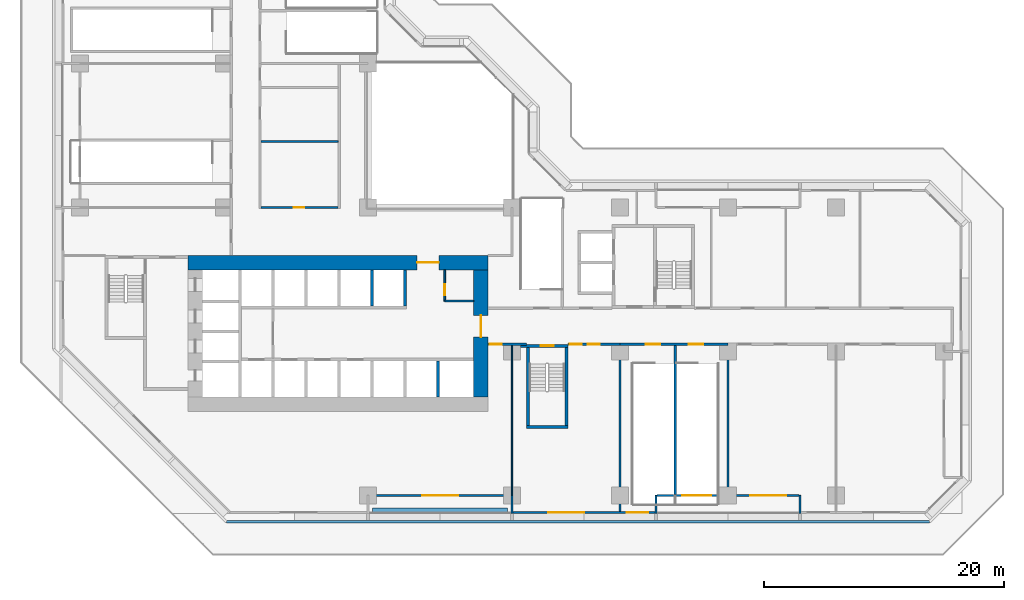
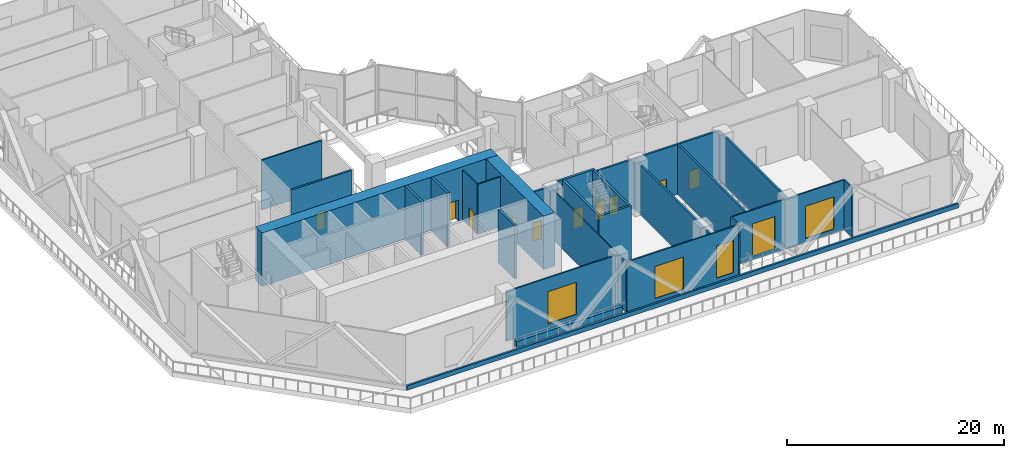
# One storey, part 5 of 16: 28 walls, 10 doors, 5 windows, 15 openings.
"""IFC4 building model written with IfcOpenShell, lengths in metres."""

import ifcopenshell
import ifcopenshell.guid

model = None  # the IFC model being written
_history = None  # IfcOwnerHistory: only IFC2X3 demands one
_inside = {}  # id of a spatial element -> (the spatial element, [elements in it])
_under = {}  # id of a project, library or spatial element -> (it, [spatial elements below it])
_declared = {}  # id of a project -> (the project, [libraries it declares])
_typed = {}  # id of a type object -> (the type object, [elements of that type])
_made_of = {}  # id of a material, layer set ... -> (it, [elements and type objects made of it])


def new_model(schema):
    """Start an empty IFC model of exactly this schema.

    Asked for "IFC4X3", IfcOpenShell would pick the latest addendum, in which some entities
    have other attributes; the version numbers below select the first issue.
    IFC2X3 requires an IfcOwnerHistory on every rooted entity: one is made here for all.
    """
    global model, _history
    if schema == "IFC4X3":
        model = ifcopenshell.file(schema_version=(4, 3, 0, 0))
    else:
        model = ifcopenshell.file(schema=schema)
    _inside.clear()
    _under.clear()
    _declared.clear()
    _typed.clear()
    _made_of.clear()
    _history = None
    if model.schema == "IFC2X3":
        org = make("IfcOrganization", Name="unknown")
        user = make(
            "IfcPersonAndOrganization",
            ThePerson=make("IfcPerson", FamilyName="unknown"),
            TheOrganization=org,
        )
        app = make(
            "IfcApplication",
            ApplicationDeveloper=org,
            Version="unknown",
            ApplicationFullName="unknown",
            ApplicationIdentifier="unknown",
        )
        _history = make(
            "IfcOwnerHistory",
            OwningUser=user,
            OwningApplication=app,
            ChangeAction="ADDED",
            CreationDate=0,
        )
    return model


def make(cls, **values):
    """One entity of the class cls with the attributes given. An attribute that is None is left unset."""
    return model.create_entity(
        cls, **{name: value for name, value in values.items() if value is not None}
    )


def rooted(cls, **values):
    """An entity with a GlobalId (a new one), such as an element, a storey or a relation."""
    return make(cls, GlobalId=ifcopenshell.guid.new(), OwnerHistory=_history, **values)


def si_unit(unit_type, name, prefix=None):
    """IfcSIUnit, for example si_unit("LENGTHUNIT", "METRE", prefix="MILLI")."""
    return make("IfcSIUnit", UnitType=unit_type, Prefix=prefix, Name=name)


def assignment(units):
    """IfcUnitAssignment: the units of a project."""
    return None if units is None else make("IfcUnitAssignment", Units=units)


def point(xyz):
    """IfcCartesianPoint."""
    return None if xyz is None else make("IfcCartesianPoint", Coordinates=xyz)


def direction(xyz):
    """IfcDirection."""
    return None if xyz is None else make("IfcDirection", DirectionRatios=xyz)


def frame(location, z_axis=None, x_axis=None):
    """IfcAxis2Placement3D, a coordinate frame: its origin and axes. An axis left out is left unset."""
    return make(
        "IfcAxis2Placement3D",
        Location=point(location),
        Axis=direction(z_axis),
        RefDirection=direction(x_axis),
    )


def frame_2d(location, x_axis=None):
    """IfcAxis2Placement2D, a coordinate frame in the plane: its origin and x axis."""
    return make(
        "IfcAxis2Placement2D", Location=point(location), RefDirection=direction(x_axis)
    )


def origin():
    """The frame at (0, 0, 0) with its axes left unset."""
    return frame((0.0, 0.0, 0.0))


def place(relative_to, where):
    """IfcLocalPlacement: puts the frame where relative to a parent placement (None: the world)."""
    return make(
        "IfcLocalPlacement", PlacementRelTo=relative_to, RelativePlacement=where
    )


def context(
    kind, dimensions, precision=None, world=None, true_north=None, identifier=None
):
    """IfcGeometricRepresentationContext, for example the 3D "Model" context."""
    return make(
        "IfcGeometricRepresentationContext",
        ContextIdentifier=identifier,
        ContextType=kind,
        CoordinateSpaceDimension=dimensions,
        Precision=precision,
        WorldCoordinateSystem=world,
        TrueNorth=true_north,
    )


def subcontext(parent, identifier, kind, view, scale=None):
    """IfcGeometricRepresentationSubContext, for example "Body" below "Model"."""
    return make(
        "IfcGeometricRepresentationSubContext",
        ContextIdentifier=identifier,
        ContextType=kind,
        ParentContext=parent,
        TargetScale=scale,
        TargetView=view,
    )


def project(units=None, contexts=None):
    """IfcProject with its units and contexts."""
    return rooted(
        "IfcProject",
        Name="project",
        RepresentationContexts=contexts,
        UnitsInContext=assignment(units),
    )


def spatial(cls, under=None, at=None, **own):
    """A site, building, storey or space (cls), placed at a placement, below another one or the project."""
    s = rooted(cls, ObjectPlacement=at, **own)
    if under is not None:
        _under.setdefault(under.id(), (under, []))[1].append(s)
    return s


def profile(cls, at=None, kind="AREA", **sizes):
    """A parametric profile (cls). Its sizes go by their IFC names, for example OverallWidth=200.0."""
    return make(cls, ProfileType=kind, Position=at, **sizes)


def rectangle(**sizes):
    """IfcRectangleProfileDef."""
    return profile("IfcRectangleProfileDef", **sizes)


def extrude(swept, where, along, depth):
    """IfcExtrudedAreaSolid: the profile swept, set in the frame where, extruded along a direction by depth."""
    return make(
        "IfcExtrudedAreaSolid",
        SweptArea=swept,
        Position=where,
        ExtrudedDirection=direction(along),
        Depth=depth,
    )


def shape(context_of_items, identifier, shape_type, items):
    """IfcShapeRepresentation: the items that make up one representation, for example the "Body"."""
    return make(
        "IfcShapeRepresentation",
        ContextOfItems=context_of_items,
        RepresentationIdentifier=identifier,
        RepresentationType=shape_type,
        Items=items,
    )


def material(Name=None, Category=None):
    """IfcMaterial."""
    return make("IfcMaterial", Name=Name, Category=Category)


def layer(
    of_material, thickness, ventilated=None, Name=None, Category=None, Priority=None
):
    """IfcMaterialLayer: one layer of a wall or slab, of a material (None: an air gap)."""
    return make(
        "IfcMaterialLayer",
        Material=of_material,
        LayerThickness=thickness,
        IsVentilated=ventilated,
        Name=Name,
        Category=Category,
        Priority=Priority,
    )


def layer_set(layers, Name=None):
    """IfcMaterialLayerSet."""
    return make("IfcMaterialLayerSet", MaterialLayers=layers, LayerSetName=Name)


def made_of(thing, what):
    """Note that an element or type object is made of a material, layer set ...; save() writes the relation."""
    if what is not None:
        _made_of.setdefault(what.id(), (what, []))[1].append(thing)
    return thing


def type_object(cls, material=None, **own):
    """A type object (cls), such as IfcWallType, which elements share."""
    return made_of(rooted(cls, **own), material)


def element(
    cls,
    number,
    at=None,
    inside=None,
    cuts=None,
    type_object=None,
    material=None,
    context=None,
    identifier="Body",
    shape_type=None,
    held_by="IfcProductDefinitionShape",
    body=None,
    shapes=None,
    **own,
):
    """One element of the class cls, such as IfcWall. Its Tag is "e" and its number.

    at: its placement. inside: the storey or other place that contains it. cuts: it is an
    opening in that element (IfcRelVoidsElement). A single representation is given by context,
    identifier, shape_type and body (its items); several are given by shapes. held_by: the class
    of the entity that holds the representations. save() writes the other relations.
    """
    e = rooted(cls, Tag="e%d" % number, ObjectPlacement=at, **own)
    if body is not None:
        shapes = [shape(context, identifier, shape_type, body)]
    if shapes is not None:
        e.Representation = make(held_by, Representations=shapes)
    if inside is not None:
        _inside.setdefault(inside.id(), (inside, []))[1].append(e)
    if cuts is not None:
        rooted(
            "IfcRelVoidsElement", RelatingBuildingElement=cuts, RelatedOpeningElement=e
        )
    if type_object is not None:
        _typed.setdefault(type_object.id(), (type_object, []))[1].append(e)
    return made_of(e, material)


def fill(opening, filler):
    """IfcRelFillsElement: the door or window that sits in an opening."""
    return rooted(
        "IfcRelFillsElement",
        RelatingOpeningElement=opening,
        RelatedBuildingElement=filler,
    )


def aggregate(whole, parts):
    """IfcRelAggregates: a whole, such as a stair, and the parts it consists of."""
    return rooted("IfcRelAggregates", RelatingObject=whole, RelatedObjects=parts)


def save(model, path):
    """Write the relations noted so far, then the file.

    IfcRelAggregates (storeys below a building ...), IfcRelContainedInSpatialStructure (elements
    in a storey), IfcRelDefinesByType, IfcRelAssociatesMaterial and IfcRelDeclares: one each for
    every whole, place, type object, material and project.
    """
    for whole, parts in _under.values():
        aggregate(whole, parts)
    for where, things in _inside.values():
        rooted(
            "IfcRelContainedInSpatialStructure",
            RelatedElements=things,
            RelatingStructure=where,
        )
    for kind, things in _typed.values():
        rooted("IfcRelDefinesByType", RelatedObjects=things, RelatingType=kind)
    for what, things in _made_of.values():
        rooted("IfcRelAssociatesMaterial", RelatedObjects=things, RelatingMaterial=what)
    for by, libraries in _declared.values():
        rooted("IfcRelDeclares", RelatingContext=by, RelatedDefinitions=libraries)
    model.write(path)


model = new_model("IFC4")

# Units and contexts
model_context = context("Model", 3, precision=1e-05, world=origin(), true_north=direction((0.0, 1.0)))
body_context = subcontext(model_context, "Body", "Model", "MODEL_VIEW")
ifc_project = project(units=[si_unit("LENGTHUNIT", "METRE"), si_unit("AREAUNIT", "SQUARE_METRE"), si_unit("VOLUMEUNIT", "CUBIC_METRE"), si_unit("PLANEANGLEUNIT", "RADIAN"), si_unit("MASSUNIT", "GRAM", prefix="KILO")], contexts=[model_context])

# Site, building, storey
site_placement = place(None, origin())
site = spatial("IfcSite", under=ifc_project, at=site_placement, CompositionType="ELEMENT")
building_placement = place(site_placement, origin())
building = spatial("IfcBuilding", under=site, at=building_placement, Name="Chenar Terraces", CompositionType="ELEMENT")
storey_placement = place(building_placement, frame((0.0, 0.0, 35.39990234375)))
storey = spatial("IfcBuildingStorey", under=building, at=storey_placement, Name="L06", CompositionType="ELEMENT", Elevation=35.39990234375)

# Wall, opening, door
ifc_material_1 = material(Name="Gypsum board on steel studs", Category="steel")
ifc_layer_1 = layer(ifc_material_1, 0.14990234375)
ifc_layer_set_1 = layer_set([ifc_layer_1], Name="Gypsum board on steel studs")
wall_type_1 = type_object("IfcWallType", Name="Core partition 150 gypsum board", PredefinedType="PARTITIONING", material=ifc_layer_set_1)
wall_1_placement = place(storey_placement, frame((30.39990234375, 16.199951171875, 0.0), z_axis=(0.0, 0.0, 1.0), x_axis=(0.0, 1.0, 0.0)))
wall_1 = element("IfcWall", 1, at=wall_1_placement, inside=storey, type_object=wall_type_1, Name="Core partition CP1 vestibule room west wall", PredefinedType="PARTITIONING", context=body_context, shape_type="SweptSolid", body=[
    extrude(rectangle(XDim=2.60009765625, YDim=0.14990234375, at=frame_2d((1.300048828125, 0.0))), origin(), (0.0, 0.0, 1.0), 5.60009765625),
])
opening_1_placement = place(wall_1_placement, frame((0.5, 0.0, 0.0)))
opening_1 = element("IfcOpeningElement", 2, at=opening_1_placement, cuts=wall_1, Name="Opening DL06-C13", PredefinedType="OPENING", context=body_context, shape_type="SweptSolid", body=[
    extrude(rectangle(XDim=0.89990234375, YDim=2.10009765625, at=frame_2d((0.449951171875, 1.050048828125))), frame((0.0, 0.0849609375, 0.0), z_axis=(0.0, -1.0, 0.0), x_axis=(1.0, 0.0, 0.0)), (0.0, 0.0, 1.0), 0.169921875),
])
ifc_material_2 = material(Name="Steel-framed fire-resisting door leaf", Category="steel")
door_type_1 = type_object("IfcDoorType", Name="Riser fire door FD60 900 x 2100", OperationType="SINGLE_SWING_LEFT", PredefinedType="DOOR", material=ifc_material_2)
door_1_placement = place(opening_1_placement, frame((0.89990234375, 0.0, 0.0), z_axis=(0.0, 0.0, 1.0), x_axis=(-1.0, 0.0, 0.0)))
door_1 = element("IfcDoor", 3, at=door_1_placement, inside=storey, type_object=door_type_1, Name="Core room door DL06-C13", OperationType="SINGLE_SWING_RIGHT", OverallHeight=2.10009765625, OverallWidth=0.89990234375, PredefinedType="DOOR", context=body_context, shape_type="SweptSolid", body=[
    extrude(rectangle(XDim=0.89990234375, YDim=2.10009765625, at=frame_2d((0.449951171875, 1.050048828125))), frame((0.0, 0.02490234375, 0.0), z_axis=(0.0, -1.0, 0.0), x_axis=(1.0, 0.0, 0.0)), (0.0, 0.0, 1.0), 0.050048828125),
])
fill(opening_1, door_1)

# Wall
wall_2_placement = place(storey_placement, frame((30.39990234375, 16.199951171875, 0.0), z_axis=(0.0, 0.0, 1.0), x_axis=(1.0, 0.0, 0.0)))
element("IfcWall", 4, at=wall_2_placement, inside=storey, type_object=wall_type_1, Name="Core partition CP1 vestibule room south wall", PredefinedType="PARTITIONING", context=body_context, shape_type="SweptSolid", body=[
    extrude(rectangle(XDim=2.400146484375, YDim=0.14990234375, at=frame_2d((1.2001953125, 0.0))), origin(), (0.0, 0.0, 1.0), 5.60009765625),
])

# Wall, opening, door
ifc_material_3 = material(Name="Concrete C70/85", Category="concrete")
ifc_layer_2 = layer(ifc_material_3, 1.199951171875)
ifc_layer_set_2 = layer_set([ifc_layer_2], Name="Concrete C70/85")
wall_type_2 = type_object("IfcWallType", Name="Core wall 1200 Concrete C70/85", PredefinedType="SHEAR", material=ifc_layer_set_2)
wall_3_placement = place(storey_placement, frame((9.0, 19.39990234375, 0.0), z_axis=(0.0, 0.0, 1.0), x_axis=(1.0, 0.0, 0.0)))
wall_3 = element("IfcWall", 5, at=wall_3_placement, inside=storey, type_object=wall_type_2, Name="Core wall N L06", PredefinedType="SHEAR", context=body_context, shape_type="SweptSolid", body=[
    extrude(rectangle(XDim=25.0, YDim=1.199951171875, at=frame_2d((12.5, 0.0))), origin(), (0.0, 0.0, 1.0), 6.0),
])
opening_2_placement = place(wall_3_placement, frame((19.10009765625, 0.0, 0.0)))
opening_2 = element("IfcOpeningElement", 6, at=opening_2_placement, cuts=wall_3, Name="Opening DL06-C2", PredefinedType="OPENING", context=body_context, shape_type="SweptSolid", body=[
    extrude(rectangle(XDim=1.800048828125, YDim=2.39990234375, at=frame_2d((0.89990234375, 1.199951171875))), frame((0.0, 0.60986328125, 0.0), z_axis=(0.0, -1.0, 0.0), x_axis=(1.0, 0.0, 0.0)), (0.0, 0.0, 1.0), 1.219970703125),
])
ifc_material_4 = material(Name="Steel-framed fire-resisting door leaf", Category="steel")
door_type_2 = type_object("IfcDoorType", Name="Core entrance double fire door FD60 1800 x 2400", OperationType="DOUBLE_DOOR_SINGLE_SWING", PredefinedType="DOOR", material=ifc_material_4)
door_2_placement = place(opening_2_placement, frame((1.800048828125, 0.0, 0.0), z_axis=(0.0, 0.0, 1.0), x_axis=(-1.0, 0.0, 0.0)))
door_2 = element("IfcDoor", 7, at=door_2_placement, inside=storey, type_object=door_type_2, Name="Core door DL06-C2", OperationType="DOUBLE_DOOR_SINGLE_SWING", OverallHeight=2.39990234375, OverallWidth=1.800048828125, PredefinedType="DOOR", context=body_context, shape_type="SweptSolid", body=[
    extrude(rectangle(XDim=1.800048828125, YDim=2.39990234375, at=frame_2d((0.89990234375, 1.199951171875))), frame((0.0, 0.02490234375, 0.0), z_axis=(0.0, -1.0, 0.0), x_axis=(1.0, 0.0, 0.0)), (0.0, 0.0, 1.0), 0.050048828125),
])
fill(opening_2, door_2)

wall_4_placement = place(storey_placement, frame((33.39990234375, 8.199951171875, 0.0), z_axis=(0.0, 0.0, 1.0), x_axis=(0.0, 1.0, 0.0)))
wall_4 = element("IfcWall", 8, at=wall_4_placement, inside=storey, type_object=wall_type_2, Name="Core wall E L06", PredefinedType="SHEAR", context=body_context, shape_type="SweptSolid", body=[
    extrude(rectangle(XDim=10.60009765625, YDim=1.199951171875, at=frame_2d((5.300048828125, 0.0))), origin(), (0.0, 0.0, 1.0), 6.0),
])
opening_3_placement = place(wall_4_placement, frame((5.0, 0.0, 0.0)))
opening_3 = element("IfcOpeningElement", 9, at=opening_3_placement, cuts=wall_4, Name="Opening DL06-C1", PredefinedType="OPENING", context=body_context, shape_type="SweptSolid", body=[
    extrude(rectangle(XDim=1.800048828125, YDim=2.39990234375, at=frame_2d((0.89990234375, 1.199951171875))), frame((0.0, 0.60986328125, 0.0), z_axis=(0.0, -1.0, 0.0), x_axis=(1.0, 0.0, 0.0)), (0.0, 0.0, 1.0), 1.219970703125),
])
door_3_placement = place(opening_3_placement, origin())
door_3 = element("IfcDoor", 10, at=door_3_placement, inside=storey, type_object=door_type_2, Name="Core door DL06-C1", OperationType="DOUBLE_DOOR_SINGLE_SWING", OverallHeight=2.39990234375, OverallWidth=1.800048828125, PredefinedType="DOOR", context=body_context, shape_type="SweptSolid", body=[
    extrude(rectangle(XDim=1.800048828125, YDim=2.39990234375, at=frame_2d((0.89990234375, 1.199951171875))), frame((0.0, 0.02490234375, 0.0), z_axis=(0.0, -1.0, 0.0), x_axis=(1.0, 0.0, 0.0)), (0.0, 0.0, 1.0), 0.050048828125),
])
fill(opening_3, door_3)

# Walls
ifc_material_5 = material(Name="Concrete C70/85", Category="concrete")
ifc_layer_3 = layer(ifc_material_5, 0.25)
ifc_layer_set_3 = layer_set([ifc_layer_3], Name="Concrete C70/85")
wall_type_3 = type_object("IfcWallType", Name="Core wall 250 Concrete C70/85", PredefinedType="SHEAR", material=ifc_layer_set_3)
for number, where, z_axis, x_axis, name in (
    (11, (29.824951171875, 8.199951171875, 0.0), (0.0, 0.0, 1.0), (0.0, 1.0, 0.0), "Core wall SS5 L06"),
    (12, (24.324951171875, 15.800048828125, 0.0), (0.0, 0.0, 1.0), (0.0, 1.0, 0.0), "Core wall NS3 L06"),
    (13, (27.074951171875, 15.800048828125, 0.0), (0.0, 0.0, 1.0), (0.0, 1.0, 0.0), "Core wall NE L06"),
):
    element("IfcWall", number, at=place(storey_placement, frame(where, z_axis=z_axis, x_axis=x_axis)), inside=storey, type_object=wall_type_3, Name=name, PredefinedType="SHEAR", context=body_context, shape_type="SweptSolid", body=[
        extrude(rectangle(XDim=3.0, YDim=0.25, at=frame_2d((1.5, 0.0))), origin(), (0.0, 0.0, 1.0), 6.0),
    ])
wall_5_placement = place(storey_placement, frame((37.199951171875, 5.72509765625, 0.0), z_axis=(0.0, 0.0, 1.0), x_axis=(1.0, 0.0, 0.0)))
element("IfcWall", 14, at=wall_5_placement, inside=storey, type_object=wall_type_3, Name="Core wall ST2_S L06", PredefinedType="SHEAR", context=body_context, shape_type="SweptSolid", body=[
    extrude(rectangle(XDim=3.449951171875, YDim=0.25, at=frame_2d((1.72509765625, 0.0))), origin(), (0.0, 0.0, 1.0), 6.0),
])

# Wall, opening, door
wall_6_placement = place(storey_placement, frame((36.699951171875, 12.47509765625, 0.0), z_axis=(0.0, 0.0, 1.0), x_axis=(1.0, 0.0, 0.0)))
wall_6 = element("IfcWall", 15, at=wall_6_placement, inside=storey, type_object=wall_type_3, Name="Core wall ST2_N L06", PredefinedType="SHEAR", context=body_context, shape_type="SweptSolid", body=[
    extrude(rectangle(XDim=3.949951171875, YDim=0.25, at=frame_2d((1.97509765625, 0.0))), origin(), (0.0, 0.0, 1.0), 6.0),
])
opening_4_placement = place(wall_6_placement, frame((1.675048828125, 0.0, 0.0)))
opening_4 = element("IfcOpeningElement", 16, at=opening_4_placement, cuts=wall_6, Name="Opening DL06-C7", PredefinedType="OPENING", context=body_context, shape_type="SweptSolid", body=[
    extrude(rectangle(XDim=1.10009765625, YDim=2.199951171875, at=frame_2d((0.550048828125, 1.10009765625))), frame((0.0, 0.135009765625, 0.0), z_axis=(0.0, -1.0, 0.0), x_axis=(1.0, 0.0, 0.0)), (0.0, 0.0, 1.0), 0.27001953125),
])
ifc_material_6 = material(Name="Steel-framed fire-resisting door leaf", Category="steel")
door_type_3 = type_object("IfcDoorType", Name="Stair fire door FD60 1100 x 2200", OperationType="SINGLE_SWING_LEFT", PredefinedType="DOOR", material=ifc_material_6)
door_4_placement = place(opening_4_placement, frame((1.10009765625, 0.0, 0.0), z_axis=(0.0, 0.0, 1.0), x_axis=(-1.0, 0.0, 0.0)))
door_4 = element("IfcDoor", 17, at=door_4_placement, inside=storey, type_object=door_type_3, Name="Stair door DL06-C7", OperationType="SINGLE_SWING_RIGHT", OverallHeight=2.199951171875, OverallWidth=1.10009765625, PredefinedType="DOOR", context=body_context, shape_type="SweptSolid", body=[
    extrude(rectangle(XDim=1.10009765625, YDim=2.199951171875, at=frame_2d((0.550048828125, 1.10009765625))), frame((0.0, 0.02490234375, 0.0), z_axis=(0.0, -1.0, 0.0), x_axis=(1.0, 0.0, 0.0)), (0.0, 0.0, 1.0), 0.050048828125),
])
fill(opening_4, door_4)

# Walls
for number, where, z_axis, x_axis, name in (
    (18, (37.324951171875, 5.85009765625, 0.0), (0.0, 0.0, 1.0), (0.0, 1.0, 0.0), "Core wall ST2_W L06"),
    (19, (40.52490234375, 5.85009765625, 0.0), (0.0, 0.0, 1.0), (0.0, 1.0, 0.0), "Core wall ST2_E L06"),
):
    element("IfcWall", number, at=place(storey_placement, frame(where, z_axis=z_axis, x_axis=x_axis)), inside=storey, type_object=wall_type_3, Name=name, PredefinedType="SHEAR", context=body_context, shape_type="SweptSolid", body=[
        extrude(rectangle(XDim=6.5, YDim=0.25, at=frame_2d((3.25, 0.0))), origin(), (0.0, 0.0, 1.0), 6.0),
    ])

# Wall, opening, door
ifc_material_7 = material(Name="Gypsum board on steel studs with fire boards", Category="steel")
ifc_layer_4 = layer(ifc_material_7, 0.199951171875)
ifc_layer_set_4 = layer_set([ifc_layer_4], Name="Gypsum board on steel studs with fire boards")
wall_type_4 = type_object("IfcWallType", Name="Corridor wall 200", PredefinedType="PARTITIONING", material=ifc_layer_set_4)
wall_7_placement = place(storey_placement, frame((15.10009765625, 24.0, 0.0), z_axis=(0.0, 0.0, 1.0), x_axis=(1.0, 0.0, 0.0)))
wall_7 = element("IfcWall", 20, at=wall_7_placement, inside=storey, type_object=wall_type_4, Name="Partition L06-029", PredefinedType="PARTITIONING", context=body_context, shape_type="SweptSolid", body=[
    extrude(rectangle(XDim=6.39990234375, YDim=0.199951171875, at=frame_2d((3.199951171875, 0.0))), origin(), (0.0, 0.0, 1.0), 5.60009765625),
])
opening_5_placement = place(wall_7_placement, frame((2.699951171875, 0.0, 0.0)))
opening_5 = element("IfcOpeningElement", 21, at=opening_5_placement, cuts=wall_7, Name="Opening DL06-34", PredefinedType="OPENING", context=body_context, shape_type="SweptSolid", body=[
    extrude(rectangle(XDim=0.89990234375, YDim=2.10009765625, at=frame_2d((0.449951171875, 1.050048828125))), frame((0.0, 0.10986328125, 0.0), z_axis=(0.0, -1.0, 0.0), x_axis=(1.0, 0.0, 0.0)), (0.0, 0.0, 1.0), 0.219970703125),
])
ifc_material_8 = material(Name="Steel-framed fire-resisting door leaf", Category="steel")
door_type_4 = type_object("IfcDoorType", Name="Fire door FD60 900 x 2100", OperationType="SINGLE_SWING_LEFT", PredefinedType="DOOR", material=ifc_material_8)
door_5_placement = place(opening_5_placement, origin())
door_5 = element("IfcDoor", 22, at=door_5_placement, inside=storey, type_object=door_type_4, Name="Door DL06-34", OperationType="SINGLE_SWING_LEFT", OverallHeight=2.10009765625, OverallWidth=0.89990234375, PredefinedType="DOOR", context=body_context, shape_type="SweptSolid", body=[
    extrude(rectangle(XDim=0.89990234375, YDim=2.10009765625, at=frame_2d((0.449951171875, 1.050048828125))), frame((0.0, 0.02490234375, 0.0), z_axis=(0.0, -1.0, 0.0), x_axis=(1.0, 0.0, 0.0)), (0.0, 0.0, 1.0), 0.050048828125),
])
fill(opening_5, door_5)

wall_8_placement = place(storey_placement, frame((34.0, 12.60009765625, 0.0), z_axis=(0.0, 0.0, 1.0), x_axis=(1.0, 0.0, 0.0)))
wall_8 = element("IfcWall", 23, at=wall_8_placement, inside=storey, type_object=wall_type_4, Name="Partition L06-041", PredefinedType="PARTITIONING", context=body_context, shape_type="SweptSolid", body=[
    extrude(rectangle(XDim=3.199951171875, YDim=0.199951171875, at=frame_2d((1.60009765625, 0.0))), origin(), (0.0, 0.0, 1.0), 5.60009765625),
])
opening_6_placement = place(wall_8_placement, frame((0.14990234375, 0.0, 0.0)))
opening_6 = element("IfcOpeningElement", 24, at=opening_6_placement, cuts=wall_8, Name="Opening DL06-22", PredefinedType="OPENING", context=body_context, shape_type="SweptSolid", body=[
    extrude(rectangle(XDim=1.0, YDim=2.10009765625, at=frame_2d((0.5, 1.050048828125))), frame((0.0, 0.10986328125, 0.0), z_axis=(0.0, -1.0, 0.0), x_axis=(1.0, 0.0, 0.0)), (0.0, 0.0, 1.0), 0.219970703125),
])
ifc_material_9 = material(Name="Steel-framed fire-resisting door leaf", Category="steel")
door_type_5 = type_object("IfcDoorType", Name="Fire door FD60 1000 x 2100", OperationType="SINGLE_SWING_LEFT", PredefinedType="DOOR", material=ifc_material_9)
door_6_placement = place(opening_6_placement, origin())
door_6 = element("IfcDoor", 25, at=door_6_placement, inside=storey, type_object=door_type_5, Name="Door DL06-22", OperationType="SINGLE_SWING_LEFT", OverallHeight=2.10009765625, OverallWidth=1.0, PredefinedType="DOOR", context=body_context, shape_type="SweptSolid", body=[
    extrude(rectangle(XDim=1.0, YDim=2.10009765625, at=frame_2d((0.5, 1.050048828125))), frame((0.0, 0.02490234375, 0.0), z_axis=(0.0, -1.0, 0.0), x_axis=(1.0, 0.0, 0.0)), (0.0, 0.0, 1.0), 0.050048828125),
])
fill(opening_6, door_6)

# Wall, openings, doors
wall_9_placement = place(storey_placement, frame((40.64990234375, 12.60009765625, 0.0), z_axis=(0.0, 0.0, 1.0), x_axis=(1.0, 0.0, 0.0)))
wall_9 = element("IfcWall", 26, at=wall_9_placement, inside=storey, type_object=wall_type_4, Name="Partition L06-048", PredefinedType="PARTITIONING", context=body_context, shape_type="SweptSolid", body=[
    extrude(rectangle(XDim=4.35009765625, YDim=0.199951171875, at=frame_2d((2.175048828125, 0.0))), origin(), (0.0, 0.0, 1.0), 5.60009765625),
])
opening_7_placement = place(wall_9_placement, frame((1.64990234375, 0.0, 0.0)))
opening_7 = element("IfcOpeningElement", 27, at=opening_7_placement, cuts=wall_9, Name="Opening DL06-6", PredefinedType="OPENING", context=body_context, shape_type="SweptSolid", body=[
    extrude(rectangle(XDim=1.0, YDim=2.10009765625, at=frame_2d((0.5, 1.050048828125))), frame((0.0, 0.10986328125, 0.0), z_axis=(0.0, -1.0, 0.0), x_axis=(1.0, 0.0, 0.0)), (0.0, 0.0, 1.0), 0.219970703125),
])
opening_8_placement = place(wall_9_placement, frame((0.14990234375, 0.0, 0.0)))
opening_8 = element("IfcOpeningElement", 28, at=opening_8_placement, cuts=wall_9, Name="Opening DL06-7", PredefinedType="OPENING", context=body_context, shape_type="SweptSolid", body=[
    extrude(rectangle(XDim=1.0, YDim=2.10009765625, at=frame_2d((0.5, 1.050048828125))), frame((0.0, 0.10986328125, 0.0), z_axis=(0.0, -1.0, 0.0), x_axis=(1.0, 0.0, 0.0)), (0.0, 0.0, 1.0), 0.219970703125),
])
door_7_placement = place(opening_7_placement, frame((1.0, 0.0, 0.0), z_axis=(0.0, 0.0, 1.0), x_axis=(-1.0, 0.0, 0.0)))
door_7 = element("IfcDoor", 29, at=door_7_placement, inside=storey, type_object=door_type_5, Name="Door DL06-6", OperationType="SINGLE_SWING_LEFT", OverallHeight=2.10009765625, OverallWidth=1.0, PredefinedType="DOOR", context=body_context, shape_type="SweptSolid", body=[
    extrude(rectangle(XDim=1.0, YDim=2.10009765625, at=frame_2d((0.5, 1.050048828125))), frame((0.0, 0.02490234375, 0.0), z_axis=(0.0, -1.0, 0.0), x_axis=(1.0, 0.0, 0.0)), (0.0, 0.0, 1.0), 0.050048828125),
])
fill(opening_7, door_7)
door_8_placement = place(opening_8_placement, frame((1.0, 0.0, 0.0), z_axis=(0.0, 0.0, 1.0), x_axis=(-1.0, 0.0, 0.0)))
door_8 = element("IfcDoor", 30, at=door_8_placement, inside=storey, type_object=door_type_5, Name="Door DL06-7", OperationType="SINGLE_SWING_RIGHT", OverallHeight=2.10009765625, OverallWidth=1.0, PredefinedType="DOOR", context=body_context, shape_type="SweptSolid", body=[
    extrude(rectangle(XDim=1.0, YDim=2.10009765625, at=frame_2d((0.5, 1.050048828125))), frame((0.0, 0.02490234375, 0.0), z_axis=(0.0, -1.0, 0.0), x_axis=(1.0, 0.0, 0.0)), (0.0, 0.0, 1.0), 0.050048828125),
])
fill(opening_8, door_8)

# Wall, openings, windows
ifc_material_10 = material(Name="Aluminium framed glazing", Category="aluminium")
ifc_layer_5 = layer(ifc_material_10, 0.14990234375)
ifc_layer_set_5 = layer_set([ifc_layer_5], Name="Aluminium framed glazing")
wall_type_5 = type_object("IfcWallType", Name="Glazed flush facade wall 150", PredefinedType="SOLIDWALL", material=ifc_layer_set_5)
wall_10_placement = place(storey_placement, frame((36.074951171875, -1.425048828125, 0.0), z_axis=(0.0, 0.0, 1.0), x_axis=(1.0, 0.0, 0.0)))
wall_10 = element("IfcWall", 31, at=wall_10_placement, inside=storey, type_object=wall_type_5, Name="Glazed flush facade wall", PredefinedType="SOLIDWALL", context=body_context, shape_type="SweptSolid", body=[
    extrude(rectangle(XDim=11.85009765625, YDim=0.14990234375, at=frame_2d((5.925048828125, 0.0))), origin(), (0.0, 0.0, 1.0), 5.60009765625),
])
opening_9_placement = place(wall_10_placement, frame((2.96240234375, 0.0, 0.449951171875)))
opening_9 = element("IfcOpeningElement", 32, at=opening_9_placement, cuts=wall_10, Name="Opening W300x360", PredefinedType="OPENING", context=body_context, shape_type="SweptSolid", body=[
    extrude(rectangle(XDim=3.0, YDim=3.60009765625, at=frame_2d((1.5, 1.800048828125))), frame((0.0, 0.0849609375, 0.0), z_axis=(0.0, -1.0, 0.0), x_axis=(1.0, 0.0, 0.0)), (0.0, 0.0, 1.0), 0.169921875),
])
opening_10_placement = place(wall_10_placement, frame((9.487548828125, 0.0, 0.449951171875)))
opening_10 = element("IfcOpeningElement", 33, at=opening_10_placement, cuts=wall_10, Name="Opening W180x360", PredefinedType="OPENING", context=body_context, shape_type="SweptSolid", body=[
    extrude(rectangle(XDim=1.800048828125, YDim=3.60009765625, at=frame_2d((0.89990234375, 1.800048828125))), frame((0.0, 0.0849609375, 0.0), z_axis=(0.0, -1.0, 0.0), x_axis=(1.0, 0.0, 0.0)), (0.0, 0.0, 1.0), 0.169921875),
])
ifc_material_11 = material(Name="Low emissivity double glazing, aluminium frame", Category="aluminium")
window_type_1 = type_object("IfcWindowType", Name="Fixed light 1800 x 3600", PartitioningType="SINGLE_PANEL", PredefinedType="WINDOW", material=ifc_material_11)
window_1_placement = place(opening_10_placement, origin())
window_1 = element("IfcWindow", 34, at=window_1_placement, inside=storey, type_object=window_type_1, Name="Window", OverallHeight=3.60009765625, OverallWidth=1.800048828125, PartitioningType="SINGLE_PANEL", PredefinedType="WINDOW", context=body_context, shape_type="SweptSolid", body=[
    extrude(rectangle(XDim=1.800048828125, YDim=3.60009765625, at=frame_2d((0.89990234375, 1.800048828125))), frame((0.0, 0.030029296875, 0.0), z_axis=(0.0, -1.0, 0.0), x_axis=(1.0, 0.0, 0.0)), (0.0, 0.0, 1.0), 0.06005859375),
])
fill(opening_10, window_1)
ifc_material_12 = material(Name="Low emissivity double glazing, aluminium frame", Category="aluminium")
window_type_2 = type_object("IfcWindowType", Name="Fixed light 3000 x 3600", PartitioningType="SINGLE_PANEL", PredefinedType="WINDOW", material=ifc_material_12)
window_2_placement = place(opening_9_placement, origin())
window_2 = element("IfcWindow", 35, at=window_2_placement, inside=storey, type_object=window_type_2, Name="Window", OverallHeight=3.60009765625, OverallWidth=3.0, PartitioningType="SINGLE_PANEL", PredefinedType="WINDOW", context=body_context, shape_type="SweptSolid", body=[
    extrude(rectangle(XDim=3.0, YDim=3.60009765625, at=frame_2d((1.5, 1.800048828125))), frame((0.0, 0.030029296875, 0.0), z_axis=(0.0, -1.0, 0.0), x_axis=(1.0, 0.0, 0.0)), (0.0, 0.0, 1.0), 0.06005859375),
])
fill(opening_9, window_2)

# Wall, opening, window
ifc_material_13 = material(Name="Aluminium framed glazing", Category="aluminium")
ifc_layer_6 = layer(ifc_material_13, 0.14990234375)
ifc_layer_set_6 = layer_set([ifc_layer_6], Name="Aluminium framed glazing")
wall_type_6 = type_object("IfcWallType", Name="Glazed loggia back wall 150", PredefinedType="SOLIDWALL", material=ifc_layer_set_6)
wall_11_placement = place(storey_placement, frame((24.074951171875, 0.0, 0.0), z_axis=(0.0, 0.0, 1.0), x_axis=(1.0, 0.0, 0.0)))
wall_11 = element("IfcWall", 36, at=wall_11_placement, inside=storey, type_object=wall_type_6, Name="Glazed loggia back wall", PredefinedType="SOLIDWALL", context=body_context, shape_type="SweptSolid", body=[
    extrude(rectangle(XDim=11.85009765625, YDim=0.14990234375, at=frame_2d((5.925048828125, 0.0))), origin(), (0.0, 0.0, 1.0), 5.60009765625),
])
opening_11_placement = place(wall_11_placement, frame((4.425048828125, 0.0, 0.449951171875)))
opening_11 = element("IfcOpeningElement", 37, at=opening_11_placement, cuts=wall_11, Name="Opening W300x360", PredefinedType="OPENING", context=body_context, shape_type="SweptSolid", body=[
    extrude(rectangle(XDim=3.0, YDim=3.60009765625, at=frame_2d((1.5, 1.800048828125))), frame((0.0, 0.0849609375, 0.0), z_axis=(0.0, -1.0, 0.0), x_axis=(1.0, 0.0, 0.0)), (0.0, 0.0, 1.0), 0.169921875),
])
window_3_placement = place(opening_11_placement, origin())
window_3 = element("IfcWindow", 38, at=window_3_placement, inside=storey, type_object=window_type_2, Name="Window", OverallHeight=3.60009765625, OverallWidth=3.0, PartitioningType="SINGLE_PANEL", PredefinedType="WINDOW", context=body_context, shape_type="SweptSolid", body=[
    extrude(rectangle(XDim=3.0, YDim=3.60009765625, at=frame_2d((1.5, 1.800048828125))), frame((0.0, 0.030029296875, 0.0), z_axis=(0.0, -1.0, 0.0), x_axis=(1.0, 0.0, 0.0)), (0.0, 0.0, 1.0), 0.06005859375),
])
fill(opening_11, window_3)

# Wall, openings, windows
wall_12_placement = place(storey_placement, frame((48.074951171875, 0.0, 0.0), z_axis=(0.0, 0.0, 1.0), x_axis=(1.0, 0.0, 0.0)))
wall_12 = element("IfcWall", 39, at=wall_12_placement, inside=storey, type_object=wall_type_6, Name="Glazed loggia back wall", PredefinedType="SOLIDWALL", context=body_context, shape_type="SweptSolid", body=[
    extrude(rectangle(XDim=11.85009765625, YDim=0.14990234375, at=frame_2d((5.925048828125, 0.0))), origin(), (0.0, 0.0, 1.0), 5.60009765625),
])
opening_12_placement = place(wall_12_placement, frame((2.125, 0.0, 0.449951171875)))
opening_12 = element("IfcOpeningElement", 40, at=opening_12_placement, cuts=wall_12, Name="Opening W240x360", PredefinedType="OPENING", context=body_context, shape_type="SweptSolid", body=[
    extrude(rectangle(XDim=2.39990234375, YDim=3.60009765625, at=frame_2d((1.199951171875, 1.800048828125))), frame((0.0, 0.0849609375, 0.0), z_axis=(0.0, -1.0, 0.0), x_axis=(1.0, 0.0, 0.0)), (0.0, 0.0, 1.0), 0.169921875),
])
opening_13_placement = place(wall_12_placement, frame((7.78759765625, 0.0, 0.449951171875)))
opening_13 = element("IfcOpeningElement", 41, at=opening_13_placement, cuts=wall_12, Name="Opening W300x360", PredefinedType="OPENING", context=body_context, shape_type="SweptSolid", body=[
    extrude(rectangle(XDim=3.0, YDim=3.60009765625, at=frame_2d((1.5, 1.800048828125))), frame((0.0, 0.0849609375, 0.0), z_axis=(0.0, -1.0, 0.0), x_axis=(1.0, 0.0, 0.0)), (0.0, 0.0, 1.0), 0.169921875),
])
ifc_material_14 = material(Name="Low emissivity double glazing, aluminium frame", Category="aluminium")
window_type_3 = type_object("IfcWindowType", Name="Fixed light 2400 x 3600", PartitioningType="SINGLE_PANEL", PredefinedType="WINDOW", material=ifc_material_14)
window_4_placement = place(opening_12_placement, origin())
window_4 = element("IfcWindow", 42, at=window_4_placement, inside=storey, type_object=window_type_3, Name="Window", OverallHeight=3.60009765625, OverallWidth=2.39990234375, PartitioningType="SINGLE_PANEL", PredefinedType="WINDOW", context=body_context, shape_type="SweptSolid", body=[
    extrude(rectangle(XDim=2.39990234375, YDim=3.60009765625, at=frame_2d((1.199951171875, 1.800048828125))), frame((0.0, 0.030029296875, 0.0), z_axis=(0.0, -1.0, 0.0), x_axis=(1.0, 0.0, 0.0)), (0.0, 0.0, 1.0), 0.06005859375),
])
fill(opening_12, window_4)
window_5_placement = place(opening_13_placement, origin())
window_5 = element("IfcWindow", 43, at=window_5_placement, inside=storey, type_object=window_type_2, Name="Window", OverallHeight=3.60009765625, OverallWidth=3.0, PartitioningType="SINGLE_PANEL", PredefinedType="WINDOW", context=body_context, shape_type="SweptSolid", body=[
    extrude(rectangle(XDim=3.0, YDim=3.60009765625, at=frame_2d((1.5, 1.800048828125))), frame((0.0, 0.030029296875, 0.0), z_axis=(0.0, -1.0, 0.0), x_axis=(1.0, 0.0, 0.0)), (0.0, 0.0, 1.0), 0.06005859375),
])
fill(opening_13, window_5)

# Walls
ifc_material_15 = material(Name="Gypsum board on steel studs", Category="steel")
ifc_layer_7 = layer(ifc_material_15, 0.10009765625)
ifc_layer_set_7 = layer_set([ifc_layer_7], Name="Gypsum board on steel studs")
wall_type_7 = type_object("IfcWallType", Name="Gypsum partition 100", PredefinedType="PARTITIONING", material=ifc_layer_set_7)
wall_13_placement = place(storey_placement, frame((36.0, 0.0, 0.0), z_axis=(0.0, 0.0, 1.0), x_axis=(0.0, 1.0, 0.0)))
element("IfcWall", 44, at=wall_13_placement, inside=storey, type_object=wall_type_7, Name="Partition L06-044", PredefinedType="PARTITIONING", context=body_context, shape_type="SweptSolid", body=[
    extrude(rectangle(XDim=12.5, YDim=0.10009765625, at=frame_2d((6.25, 0.0))), origin(), (0.0, 0.0, 1.0), 5.60009765625),
])
ifc_material_16 = material(Name="Terracotta cladding on insulated backing", Category="masonry")
ifc_layer_8 = layer(ifc_material_16, 0.14990234375)
ifc_layer_set_8 = layer_set([ifc_layer_8], Name="Terracotta cladding on insulated backing")
wall_type_8 = type_object("IfcWallType", Name="Loggia return wall 150", PredefinedType="SOLIDWALL", material=ifc_layer_set_8)
for number, where, z_axis, x_axis, name in (
    (45, (36.0, -1.5, 0.0), (0.0, 0.0, 1.0), (0.0, 1.0, 0.0), "Loggia return wall"),
    (46, (48.0, -1.5, 0.0), (0.0, 0.0, 1.0), (0.0, 1.0, 0.0), "Loggia return wall"),
    (47, (60.0, -1.5, 0.0), (0.0, 0.0, 1.0), (0.0, 1.0, 0.0), "Loggia return wall"),
):
    element("IfcWall", number, at=place(storey_placement, frame(where, z_axis=z_axis, x_axis=x_axis)), inside=storey, type_object=wall_type_8, Name=name, PredefinedType="SOLIDWALL", context=body_context, shape_type="SweptSolid", body=[
        extrude(rectangle(XDim=1.5, YDim=0.14990234375, at=frame_2d((0.75, 0.0))), origin(), (0.0, 0.0, 1.0), 5.60009765625),
    ])
ifc_material_17 = material(Name="Reinforced concrete C40/50", Category="concrete")
ifc_layer_9 = layer(ifc_material_17, 0.199951171875)
ifc_layer_set_9 = layer_set([ifc_layer_9], Name="Reinforced concrete C40/50")
wall_type_9 = type_object("IfcWallType", Name="Stair enclosure wall 200 concrete", PredefinedType="SOLIDWALL", material=ifc_layer_set_9)
wall_14_placement = place(storey_placement, frame((45.0, -1.35107421875, 0.0), z_axis=(0.0, 0.0, 1.0), x_axis=(0.0, 1.0, 0.0)))
element("IfcWall", 48, at=wall_14_placement, inside=storey, type_object=wall_type_9, Name="Stair enclosure wall L06-049", PredefinedType="SOLIDWALL", context=body_context, shape_type="SweptSolid", body=[
    extrude(rectangle(XDim=13.85107421875, YDim=0.199951171875, at=frame_2d((6.925537109375, 0.0))), origin(), (0.0, 0.0, 1.0), 5.60009765625),
])

# Wall, openings, doors
wall_15_placement = place(storey_placement, frame((45.0, 12.60009765625, 0.0), z_axis=(0.0, 0.0, 1.0), x_axis=(1.0, 0.0, 0.0)))
wall_15 = element("IfcWall", 49, at=wall_15_placement, inside=storey, type_object=wall_type_9, Name="Stair enclosure wall L06-050", PredefinedType="SOLIDWALL", context=body_context, shape_type="SweptSolid", body=[
    extrude(rectangle(XDim=9.0, YDim=0.199951171875, at=frame_2d((4.5, 0.0))), origin(), (0.0, 0.0, 1.0), 5.60009765625),
])
opening_14_placement = place(wall_15_placement, frame((5.75, 0.0, 0.0)))
opening_14 = element("IfcOpeningElement", 50, at=opening_14_placement, cuts=wall_15, Name="Opening DL06-24", PredefinedType="OPENING", context=body_context, shape_type="SweptSolid", body=[
    extrude(rectangle(XDim=1.199951171875, YDim=2.10009765625, at=frame_2d((0.60009765625, 1.050048828125))), frame((0.0, 0.10986328125, 0.0), z_axis=(0.0, -1.0, 0.0), x_axis=(1.0, 0.0, 0.0)), (0.0, 0.0, 1.0), 0.219970703125),
])
opening_15_placement = place(wall_15_placement, frame((2.14990234375, 0.0, 0.0)))
opening_15 = element("IfcOpeningElement", 51, at=opening_15_placement, cuts=wall_15, Name="Opening DL06-28", PredefinedType="OPENING", context=body_context, shape_type="SweptSolid", body=[
    extrude(rectangle(XDim=1.199951171875, YDim=2.10009765625, at=frame_2d((0.60009765625, 1.050048828125))), frame((0.0, 0.10986328125, 0.0), z_axis=(0.0, -1.0, 0.0), x_axis=(1.0, 0.0, 0.0)), (0.0, 0.0, 1.0), 0.219970703125),
])
ifc_material_18 = material(Name="Steel-framed fire-resisting door leaf", Category="steel")
door_type_6 = type_object("IfcDoorType", Name="Fire door FD120 1200 x 2100", OperationType="SINGLE_SWING_LEFT", PredefinedType="DOOR", material=ifc_material_18)
door_9_placement = place(opening_14_placement, frame((1.199951171875, 0.0, 0.0), z_axis=(0.0, 0.0, 1.0), x_axis=(-1.0, 0.0, 0.0)))
door_9 = element("IfcDoor", 52, at=door_9_placement, inside=storey, type_object=door_type_6, Name="Door DL06-24", OperationType="SINGLE_SWING_RIGHT", OverallHeight=2.10009765625, OverallWidth=1.199951171875, PredefinedType="DOOR", context=body_context, shape_type="SweptSolid", body=[
    extrude(rectangle(XDim=1.199951171875, YDim=2.10009765625, at=frame_2d((0.60009765625, 1.050048828125))), frame((0.0, 0.02490234375, 0.0), z_axis=(0.0, -1.0, 0.0), x_axis=(1.0, 0.0, 0.0)), (0.0, 0.0, 1.0), 0.050048828125),
])
fill(opening_14, door_9)
door_10_placement = place(opening_15_placement, frame((1.199951171875, 0.0, 0.0), z_axis=(0.0, 0.0, 1.0), x_axis=(-1.0, 0.0, 0.0)))
door_10 = element("IfcDoor", 53, at=door_10_placement, inside=storey, type_object=door_type_6, Name="Door DL06-28", OperationType="SINGLE_SWING_LEFT", OverallHeight=2.10009765625, OverallWidth=1.199951171875, PredefinedType="DOOR", context=body_context, shape_type="SweptSolid", body=[
    extrude(rectangle(XDim=1.199951171875, YDim=2.10009765625, at=frame_2d((0.60009765625, 1.050048828125))), frame((0.0, 0.02490234375, 0.0), z_axis=(0.0, -1.0, 0.0), x_axis=(1.0, 0.0, 0.0)), (0.0, 0.0, 1.0), 0.050048828125),
])
fill(opening_15, door_10)

# Walls
for number, where, z_axis, x_axis, name in (
    (54, (49.60009765625, 0.073974609375, 0.0), (0.0, 0.0, 1.0), (0.0, 1.0, 0.0), "Stair enclosure wall L06-052"),
    (55, (54.0, 0.073974609375, 0.0), (0.0, 0.0, 1.0), (0.0, 1.0, 0.0), "Stair enclosure wall L06-055"),
):
    element("IfcWall", number, at=place(storey_placement, frame(where, z_axis=z_axis, x_axis=x_axis)), inside=storey, type_object=wall_type_9, Name=name, PredefinedType="SOLIDWALL", context=body_context, shape_type="SweptSolid", body=[
        extrude(rectangle(XDim=12.426025390625, YDim=0.199951171875, at=frame_2d((6.212890625, 0.0))), origin(), (0.0, 0.0, 1.0), 5.60009765625),
    ])
ifc_material_19 = material(Name="Terracotta cladding on insulated backing", Category="masonry")
ifc_layer_10 = layer(ifc_material_19, 0.199951171875)
ifc_layer_set_10 = layer_set([ifc_layer_10], Name="Terracotta cladding on insulated backing")
wall_type_10 = type_object("IfcWallType", Name="Terrace parapet upstand 200", PredefinedType="PARAPET", material=ifc_layer_set_10)
wall_16_placement = place(storey_placement, frame((70.7900390625, -2.199951171875, 0.0), z_axis=(0.0, 0.0, 1.0), x_axis=(-1.0, 0.0, 0.0)))
element("IfcWall", 56, at=wall_16_placement, inside=storey, type_object=wall_type_10, Name="Terrace parapet", PredefinedType="PARAPET", context=body_context, shape_type="SweptSolid", body=[
    extrude(rectangle(XDim=58.580078125, YDim=0.199951171875, at=frame_2d((29.2900390625, 0.0))), origin(), (0.0, 0.0, 1.0), 0.5),
])
ifc_material_20 = material(Name="GRP planter trough")
ifc_layer_11 = layer(ifc_material_20, 0.39990234375)
ifc_layer_set_11 = layer_set([ifc_layer_11], Name="GRP planter trough")
wall_type_11 = type_object("IfcWallType", Name="Vertical greenery planter 400", PredefinedType="SOLIDWALL", material=ifc_layer_set_11)
wall_17_placement = place(storey_placement, frame((24.375, -1.22900390625, 0.0), z_axis=(0.0, 0.0, 1.0), x_axis=(1.0, 0.0, 0.0)))
element("IfcWall", 57, at=wall_17_placement, inside=storey, type_object=wall_type_11, Name="Vertical greenery planter", PredefinedType="SOLIDWALL", context=body_context, shape_type="SweptSolid", body=[
    extrude(rectangle(XDim=11.25, YDim=0.39990234375, at=frame_2d((5.625, 0.0))), origin(), (0.0, 0.0, 1.0), 0.7001953125),
])
ifc_material_21 = material(Name="Moisture-resistant gypsum board on steel studs", Category="steel")
ifc_layer_12 = layer(ifc_material_21, 0.14990234375)
ifc_layer_set_12 = layer_set([ifc_layer_12], Name="Moisture-resistant gypsum board on steel studs")
wall_type_12 = type_object("IfcWallType", Name="Wet-room partition 150", PredefinedType="PARTITIONING", material=ifc_layer_set_12)
wall_18_placement = place(storey_placement, frame((15.10009765625, 29.5, 0.0), z_axis=(0.0, 0.0, 1.0), x_axis=(1.0, 0.0, 0.0)))
element("IfcWall", 58, at=wall_18_placement, inside=storey, type_object=wall_type_12, Name="Partition L06-030", PredefinedType="PARTITIONING", context=body_context, shape_type="SweptSolid", body=[
    extrude(rectangle(XDim=6.39990234375, YDim=0.14990234375, at=frame_2d((3.199951171875, 0.0))), origin(), (0.0, 0.0, 1.0), 5.60009765625),
])

save(model, "model.ifc")
